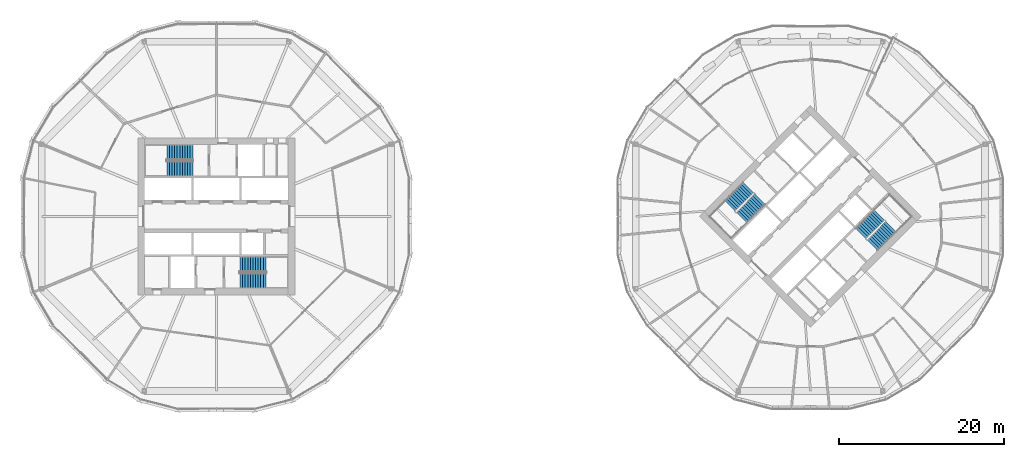
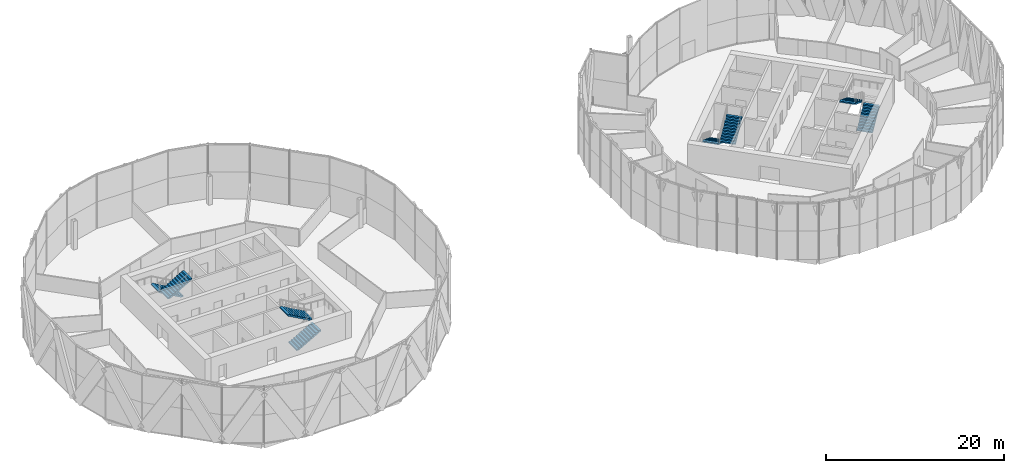
# One storey, part 27 of 31: 8 stair flights, 4 elements without a shape of their own.
"""IFC4 building model written with IfcOpenShell, lengths in metres."""

from ifc_helpers import new_model, si_unit, direction, frame, origin, place, context, subcontext, project, spatial, polyline, outline, extrude, material, type_object, element, aggregate, save


model = new_model("IFC4")

# Units and contexts
model_context = context("Model", 3, precision=1e-05, world=origin(), true_north=direction((0.0, 1.0)))
body_context = subcontext(model_context, "Body", "Model", "MODEL_VIEW")
ifc_project = project(units=[si_unit("LENGTHUNIT", "METRE"), si_unit("AREAUNIT", "SQUARE_METRE"), si_unit("VOLUMEUNIT", "CUBIC_METRE"), si_unit("PLANEANGLEUNIT", "RADIAN"), si_unit("MASSUNIT", "GRAM", prefix="KILO")], contexts=[model_context])

# Site, building, storey
site_placement = place(None, origin())
site = spatial("IfcSite", under=ifc_project, at=site_placement, CompositionType="ELEMENT")
building_placement = place(site_placement, origin())
building = spatial("IfcBuilding", under=site, at=building_placement, Name="Ogive Gate Towers", CompositionType="ELEMENT")
storey_placement = place(building_placement, frame((0.0, 0.0, 63.60009765625)))
storey = spatial("IfcBuildingStorey", under=building, at=storey_placement, Name="L14", CompositionType="ELEMENT", Elevation=63.60009765625)

# Stair, stair flights
ifc_material = material(Name="Concrete C40/50", Category="concrete")
stair_type = type_object("IfcStairType", Name="Escape stair 1840 wide", PredefinedType="HALF_TURN_STAIR", material=ifc_material)
stair_1_placement = place(storey_placement, origin())
stair_1 = element("IfcStair", 1, at=stair_1_placement, inside=storey, type_object=stair_type, Name="L14 Escape stair 1", PredefinedType="HALF_TURN_STAIR")
stair_flight_type = type_object("IfcStairFlightType", Name="Stair flight 1840 wide", PredefinedType="STRAIGHT", material=ifc_material)
stair_flight_1_placement = place(storey_placement, frame((-38.864990234375, 7.780029296875, 0.0), z_axis=(0.0, 0.0, 1.0), x_axis=(-1.0, 0.0, 0.0)))
stair_flight_1 = element("IfcStairFlight", 2, at=stair_flight_1_placement, type_object=stair_flight_type, Name="ST1 flight 1", NumberOfRisers=11, NumberOfTreads=10, PredefinedType="STRAIGHT", RiserHeight=0.177272727, TreadLength=0.313636364, context=body_context, shape_type="SweptSolid", body=[
    extrude(outline(polyline([(0.0, 0.0), (0.0, 0.17724609375), (0.313720703125, 0.17724609375), (0.313720703125, 0.3544921875), (0.627197265625, 0.3544921875), (0.627197265625, 0.53173828125), (0.94091796875, 0.53173828125), (0.94091796875, 0.708984375), (1.254638671875, 0.708984375), (1.254638671875, 0.886474609375), (1.568115234375, 0.886474609375), (1.568115234375, 1.063720703125), (1.8818359375, 1.063720703125), (1.8818359375, 1.240966796875), (2.195556640625, 1.240966796875), (2.195556640625, 1.418212890625), (2.509033203125, 1.418212890625), (2.509033203125, 1.595458984375), (2.82275390625, 1.595458984375), (2.82275390625, 1.772705078125), (3.136474609375, 1.772705078125), (3.136474609375, 1.949951171875), (3.136474609375, 1.6005859375), (0.3046875, 0.0), (0.0, 0.0)])), frame((0.0, 0.919921875, 0.0), z_axis=(0.0, -1.0, 0.0), x_axis=(1.0, 0.0, 0.0)), (0.0, 0.0, 1.0), 1.840087890625),
])
stair_flight_2_placement = place(storey_placement, frame((-42.00146484375, 5.794921875, 1.949951171875), z_axis=(0.0, 0.0, 1.0), x_axis=(1.0, 0.0, 0.0)))
stair_flight_2 = element("IfcStairFlight", 3, at=stair_flight_2_placement, type_object=stair_flight_type, Name="ST1 flight 2", NumberOfRisers=11, NumberOfTreads=10, PredefinedType="STRAIGHT", RiserHeight=0.177272727, TreadLength=0.313636364, context=body_context, shape_type="SweptSolid", body=[
    extrude(outline(polyline([(0.0, 0.0), (0.0, 0.17724609375), (0.313720703125, 0.17724609375), (0.313720703125, 0.3544921875), (0.627197265625, 0.3544921875), (0.627197265625, 0.53173828125), (0.94091796875, 0.53173828125), (0.94091796875, 0.708984375), (1.254638671875, 0.708984375), (1.254638671875, 0.886474609375), (1.568115234375, 0.886474609375), (1.568115234375, 1.063720703125), (1.8818359375, 1.063720703125), (1.8818359375, 1.240966796875), (2.195556640625, 1.240966796875), (2.195556640625, 1.418212890625), (2.509033203125, 1.418212890625), (2.509033203125, 1.595458984375), (2.82275390625, 1.595458984375), (2.82275390625, 1.772705078125), (3.136474609375, 1.772705078125), (3.136474609375, 1.949951171875), (3.136474609375, 1.6005859375), (0.3046875, 0.0), (0.0, 0.0)])), frame((0.0, 0.919921875, 0.0), z_axis=(0.0, -1.0, 0.0), x_axis=(1.0, 0.0, 0.0)), (0.0, 0.0, 1.0), 1.840087890625),
])
aggregate(stair_1, [stair_flight_1, stair_flight_2])

stair_2_placement = place(storey_placement, origin())
stair_2 = element("IfcStair", 4, at=stair_2_placement, inside=storey, type_object=stair_type, Name="L14 Escape stair 2", PredefinedType="HALF_TURN_STAIR")
stair_flight_3_placement = place(storey_placement, frame((-33.135009765625, -7.780029296875, 0.0), z_axis=(0.0, 0.0, 1.0), x_axis=(1.0, 0.0, 0.0)))
stair_flight_3 = element("IfcStairFlight", 5, at=stair_flight_3_placement, type_object=stair_flight_type, Name="ST2 flight 1", NumberOfRisers=11, NumberOfTreads=10, PredefinedType="STRAIGHT", RiserHeight=0.177272727, TreadLength=0.313636364, context=body_context, shape_type="SweptSolid", body=[
    extrude(outline(polyline([(0.0, 0.0), (0.0, 0.17724609375), (0.313720703125, 0.17724609375), (0.313720703125, 0.3544921875), (0.627197265625, 0.3544921875), (0.627197265625, 0.53173828125), (0.94091796875, 0.53173828125), (0.94091796875, 0.708984375), (1.254638671875, 0.708984375), (1.254638671875, 0.886474609375), (1.568115234375, 0.886474609375), (1.568115234375, 1.063720703125), (1.8818359375, 1.063720703125), (1.8818359375, 1.240966796875), (2.195556640625, 1.240966796875), (2.195556640625, 1.418212890625), (2.509033203125, 1.418212890625), (2.509033203125, 1.595458984375), (2.82275390625, 1.595458984375), (2.82275390625, 1.772705078125), (3.136474609375, 1.772705078125), (3.136474609375, 1.949951171875), (3.136474609375, 1.6005859375), (0.3046875, 0.0), (0.0, 0.0)])), frame((0.0, 0.919921875, 0.0), z_axis=(0.0, -1.0, 0.0), x_axis=(1.0, 0.0, 0.0)), (0.0, 0.0, 1.0), 1.840087890625),
])
stair_flight_4_placement = place(storey_placement, frame((-29.99853515625, -5.794921875, 1.949951171875), z_axis=(0.0, 0.0, 1.0), x_axis=(-1.0, 0.0, 0.0)))
stair_flight_4 = element("IfcStairFlight", 6, at=stair_flight_4_placement, type_object=stair_flight_type, Name="ST2 flight 2", NumberOfRisers=11, NumberOfTreads=10, PredefinedType="STRAIGHT", RiserHeight=0.177272727, TreadLength=0.313636364, context=body_context, shape_type="SweptSolid", body=[
    extrude(outline(polyline([(0.0, 0.0), (0.0, 0.17724609375), (0.313720703125, 0.17724609375), (0.313720703125, 0.3544921875), (0.627197265625, 0.3544921875), (0.627197265625, 0.53173828125), (0.94091796875, 0.53173828125), (0.94091796875, 0.708984375), (1.254638671875, 0.708984375), (1.254638671875, 0.886474609375), (1.568115234375, 0.886474609375), (1.568115234375, 1.063720703125), (1.8818359375, 1.063720703125), (1.8818359375, 1.240966796875), (2.195556640625, 1.240966796875), (2.195556640625, 1.418212890625), (2.509033203125, 1.418212890625), (2.509033203125, 1.595458984375), (2.82275390625, 1.595458984375), (2.82275390625, 1.772705078125), (3.136474609375, 1.772705078125), (3.136474609375, 1.949951171875), (3.136474609375, 1.6005859375), (0.3046875, 0.0), (0.0, 0.0)])), frame((0.0, 0.919921875, 0.0), z_axis=(0.0, -1.0, 0.0), x_axis=(1.0, 0.0, 0.0)), (0.0, 0.0, 1.0), 1.840087890625),
])
aggregate(stair_2, [stair_flight_3, stair_flight_4])

stair_3_placement = place(storey_placement, origin())
stair_3 = element("IfcStair", 7, at=stair_3_placement, inside=storey, type_object=stair_type, Name="L14 Escape stair 1", PredefinedType="HALF_TURN_STAIR")
stair_flight_5_placement = place(storey_placement, frame((28.472900390625, 3.475341796875, 0.0), z_axis=(0.0, 0.0, 1.0), x_axis=(-0.707106781187, -0.707106781187, 0.0)))
stair_flight_5 = element("IfcStairFlight", 8, at=stair_flight_5_placement, type_object=stair_flight_type, Name="ST1 flight 1", NumberOfRisers=11, NumberOfTreads=10, PredefinedType="STRAIGHT", RiserHeight=0.177272727, TreadLength=0.313636364, context=body_context, shape_type="SweptSolid", body=[
    extrude(outline(polyline([(0.0, 0.0), (0.0, 0.17724609375), (0.313720703125, 0.17724609375), (0.313720703125, 0.3544921875), (0.627197265625, 0.3544921875), (0.627197265625, 0.53173828125), (0.94091796875, 0.53173828125), (0.94091796875, 0.708984375), (1.254638671875, 0.708984375), (1.254638671875, 0.886474609375), (1.568115234375, 0.886474609375), (1.568115234375, 1.063720703125), (1.8818359375, 1.063720703125), (1.8818359375, 1.240966796875), (2.195556640625, 1.240966796875), (2.195556640625, 1.418212890625), (2.509033203125, 1.418212890625), (2.509033203125, 1.595458984375), (2.82275390625, 1.595458984375), (2.82275390625, 1.772705078125), (3.136474609375, 1.772705078125), (3.136474609375, 1.949951171875), (3.136474609375, 1.6005859375), (0.3046875, 0.0), (0.0, 0.0)])), frame((0.0, 0.919921875, 0.0), z_axis=(0.0, -1.0, 0.0), x_axis=(1.0, 0.0, 0.0)), (0.0, 0.0, 1.0), 1.840087890625),
])
stair_flight_6_placement = place(storey_placement, frame((27.65869140625, -0.14599609375, 1.949951171875), z_axis=(0.0, 0.0, 1.0), x_axis=(0.707106781187, 0.707106781187, 0.0)))
stair_flight_6 = element("IfcStairFlight", 9, at=stair_flight_6_placement, type_object=stair_flight_type, Name="ST1 flight 2", NumberOfRisers=11, NumberOfTreads=10, PredefinedType="STRAIGHT", RiserHeight=0.177272727, TreadLength=0.313636364, context=body_context, shape_type="SweptSolid", body=[
    extrude(outline(polyline([(0.0, 0.0), (0.0, 0.17724609375), (0.313720703125, 0.17724609375), (0.313720703125, 0.3544921875), (0.627197265625, 0.3544921875), (0.627197265625, 0.53173828125), (0.94091796875, 0.53173828125), (0.94091796875, 0.708984375), (1.254638671875, 0.708984375), (1.254638671875, 0.886474609375), (1.568115234375, 0.886474609375), (1.568115234375, 1.063720703125), (1.8818359375, 1.063720703125), (1.8818359375, 1.240966796875), (2.195556640625, 1.240966796875), (2.195556640625, 1.418212890625), (2.509033203125, 1.418212890625), (2.509033203125, 1.595458984375), (2.82275390625, 1.595458984375), (2.82275390625, 1.772705078125), (3.136474609375, 1.772705078125), (3.136474609375, 1.949951171875), (3.136474609375, 1.6005859375), (0.3046875, 0.0), (0.0, 0.0)])), frame((0.0, 0.919921875, 0.0), z_axis=(0.0, -1.0, 0.0), x_axis=(1.0, 0.0, 0.0)), (0.0, 0.0, 1.0), 1.840087890625),
])
aggregate(stair_3, [stair_flight_5, stair_flight_6])

stair_4_placement = place(storey_placement, origin())
stair_4 = element("IfcStair", 10, at=stair_4_placement, inside=storey, type_object=stair_type, Name="L14 Escape stair 2", PredefinedType="HALF_TURN_STAIR")
stair_flight_7_placement = place(storey_placement, frame((43.527099609375, -3.475341796875, 0.0), z_axis=(0.0, 0.0, 1.0), x_axis=(0.707106781187, 0.707106781187, 0.0)))
stair_flight_7 = element("IfcStairFlight", 11, at=stair_flight_7_placement, type_object=stair_flight_type, Name="ST2 flight 1", NumberOfRisers=11, NumberOfTreads=10, PredefinedType="STRAIGHT", RiserHeight=0.177272727, TreadLength=0.313636364, context=body_context, shape_type="SweptSolid", body=[
    extrude(outline(polyline([(0.0, 0.0), (0.0, 0.17724609375), (0.313720703125, 0.17724609375), (0.313720703125, 0.3544921875), (0.627197265625, 0.3544921875), (0.627197265625, 0.53173828125), (0.94091796875, 0.53173828125), (0.94091796875, 0.708984375), (1.254638671875, 0.708984375), (1.254638671875, 0.886474609375), (1.568115234375, 0.886474609375), (1.568115234375, 1.063720703125), (1.8818359375, 1.063720703125), (1.8818359375, 1.240966796875), (2.195556640625, 1.240966796875), (2.195556640625, 1.418212890625), (2.509033203125, 1.418212890625), (2.509033203125, 1.595458984375), (2.82275390625, 1.595458984375), (2.82275390625, 1.772705078125), (3.136474609375, 1.772705078125), (3.136474609375, 1.949951171875), (3.136474609375, 1.6005859375), (0.3046875, 0.0), (0.0, 0.0)])), frame((0.0, 0.919921875, 0.0), z_axis=(0.0, -1.0, 0.0), x_axis=(1.0, 0.0, 0.0)), (0.0, 0.0, 1.0), 1.840087890625),
])
stair_flight_8_placement = place(storey_placement, frame((44.34130859375, 0.14599609375, 1.949951171875), z_axis=(0.0, 0.0, 1.0), x_axis=(-0.707106781187, -0.707106781187, 0.0)))
stair_flight_8 = element("IfcStairFlight", 12, at=stair_flight_8_placement, type_object=stair_flight_type, Name="ST2 flight 2", NumberOfRisers=11, NumberOfTreads=10, PredefinedType="STRAIGHT", RiserHeight=0.177272727, TreadLength=0.313636364, context=body_context, shape_type="SweptSolid", body=[
    extrude(outline(polyline([(0.0, 0.0), (0.0, 0.17724609375), (0.313720703125, 0.17724609375), (0.313720703125, 0.3544921875), (0.627197265625, 0.3544921875), (0.627197265625, 0.53173828125), (0.94091796875, 0.53173828125), (0.94091796875, 0.708984375), (1.254638671875, 0.708984375), (1.254638671875, 0.886474609375), (1.568115234375, 0.886474609375), (1.568115234375, 1.063720703125), (1.8818359375, 1.063720703125), (1.8818359375, 1.240966796875), (2.195556640625, 1.240966796875), (2.195556640625, 1.418212890625), (2.509033203125, 1.418212890625), (2.509033203125, 1.595458984375), (2.82275390625, 1.595458984375), (2.82275390625, 1.772705078125), (3.136474609375, 1.772705078125), (3.136474609375, 1.949951171875), (3.136474609375, 1.6005859375), (0.3046875, 0.0), (0.0, 0.0)])), frame((0.0, 0.919921875, 0.0), z_axis=(0.0, -1.0, 0.0), x_axis=(1.0, 0.0, 0.0)), (0.0, 0.0, 1.0), 1.840087890625),
])
aggregate(stair_4, [stair_flight_7, stair_flight_8])

save(model, "model.ifc")
